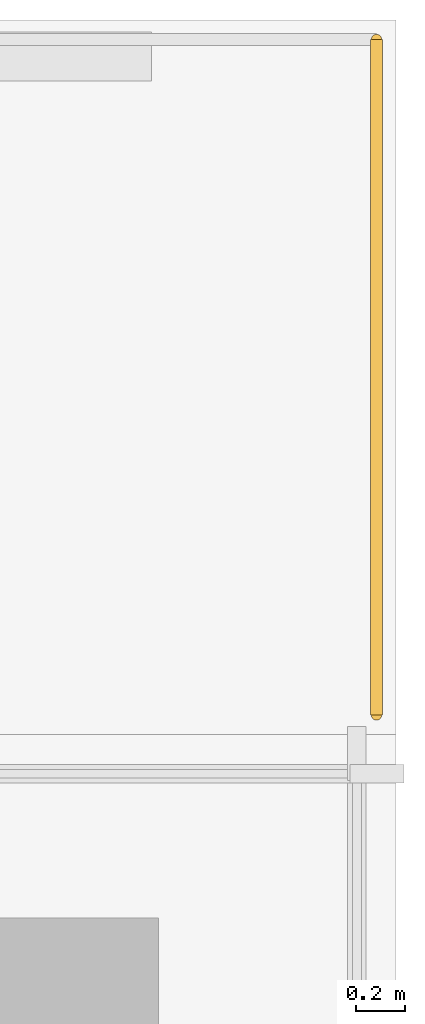
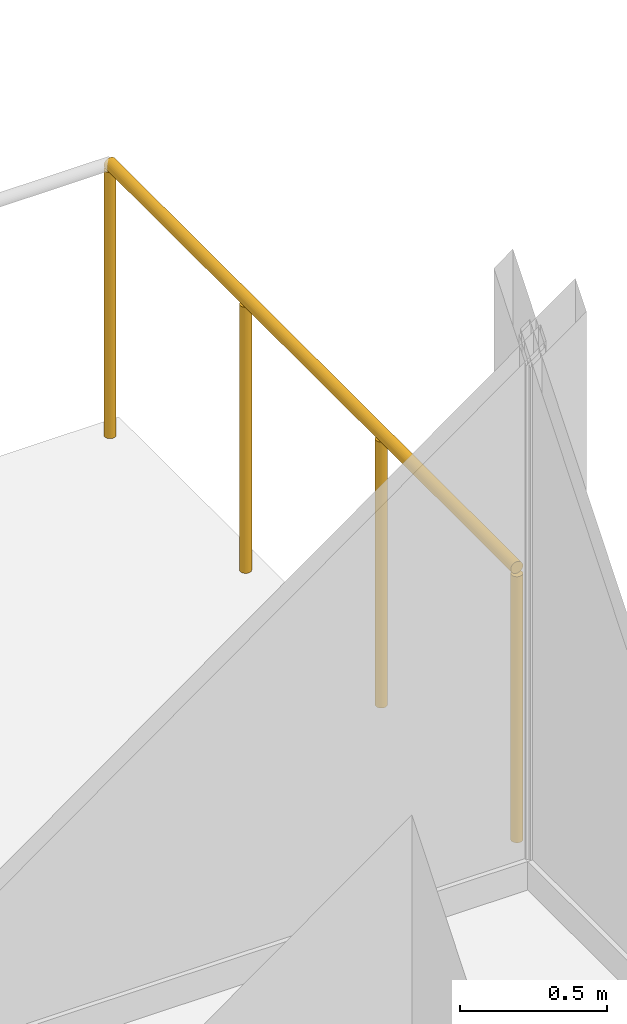
# One storey, part 30 of 30: 1 railing.
"""IFC4 building model written with IfcOpenShell, lengths in metres."""

from ifc_helpers import new_model, si_unit, derived_unit, direction, frame, origin, origin_2d, place, context, subcontext, project, spatial, circle, extrude, material, type_object, element, save


model = new_model("IFC4")

# Units and contexts
model_context = context("Model", 3, precision=1e-05, world=origin(), true_north=direction((0.0, 1.0)))
body_context = subcontext(model_context, "Body", "Model", "MODEL_VIEW")
ifc_project = project(units=[si_unit("LENGTHUNIT", "METRE"), si_unit("AREAUNIT", "SQUARE_METRE"), si_unit("VOLUMEUNIT", "CUBIC_METRE"), si_unit("PLANEANGLEUNIT", "RADIAN"), si_unit("MASSUNIT", "GRAM", prefix="KILO"), derived_unit("THERMALTRANSMITTANCEUNIT", [(si_unit("POWERUNIT", "WATT"), 1), (si_unit("LENGTHUNIT", "METRE"), -2), (si_unit("THERMODYNAMICTEMPERATUREUNIT", "KELVIN"), -1)])], contexts=[model_context])

# Site, building, storey
site_placement = place(None, origin())
site = spatial("IfcSite", under=ifc_project, at=site_placement, CompositionType="ELEMENT")
building_placement = place(site_placement, origin())
building = spatial("IfcBuilding", under=site, at=building_placement, Name="Kivonza Crest Hotel", CompositionType="ELEMENT")
storey_placement = place(building_placement, frame((0.0, 0.0, 10.199951171875)))
storey = spatial("IfcBuildingStorey", under=building, at=storey_placement, Name="L02", CompositionType="ELEMENT", Elevation=10.199951171875)

# Railing
ifc_material = material(Name="Laminated glass and stainless steel balustrade", Category="steel")
railing_type = type_object("IfcRailingType", Name="RL-TERR-1150", PredefinedType="BALUSTRADE", material=ifc_material)
railing_placement = place(storey_placement, frame((95.840087890625, 49.840087890625, 0.0)))
element("IfcRailing", 1, at=railing_placement, inside=storey, type_object=railing_type, Name="L02 POD-L02-T2 perimeter safety balustrade 3", PredefinedType="BALUSTRADE", context=body_context, shape_type="SweptSolid", body=[
    extrude(circle(Radius=0.02392578125, at=origin_2d()), frame((0.0, 0.0, 1.1259765625), z_axis=(0.0, -1.0, 0.0), x_axis=(1.0, 0.0, 0.0)), (0.0, 0.0, 1.0), 2.760009765625),
    extrude(circle(Radius=0.02099609375, at=origin_2d()), origin(), (0.0, 0.0, 1.0), 1.101806640625),
    extrude(circle(Radius=0.02099609375, at=origin_2d()), frame((0.0, -0.919921875, 0.0)), (0.0, 0.0, 1.0), 1.101806640625),
    extrude(circle(Radius=0.02099609375, at=origin_2d()), frame((0.0, -1.840087890625, 0.0)), (0.0, 0.0, 1.0), 1.101806640625),
    extrude(circle(Radius=0.02099609375, at=origin_2d()), frame((0.0, -2.760009765625, 0.0)), (0.0, 0.0, 1.0), 1.101806640625),
])

save(model, "model.ifc")
